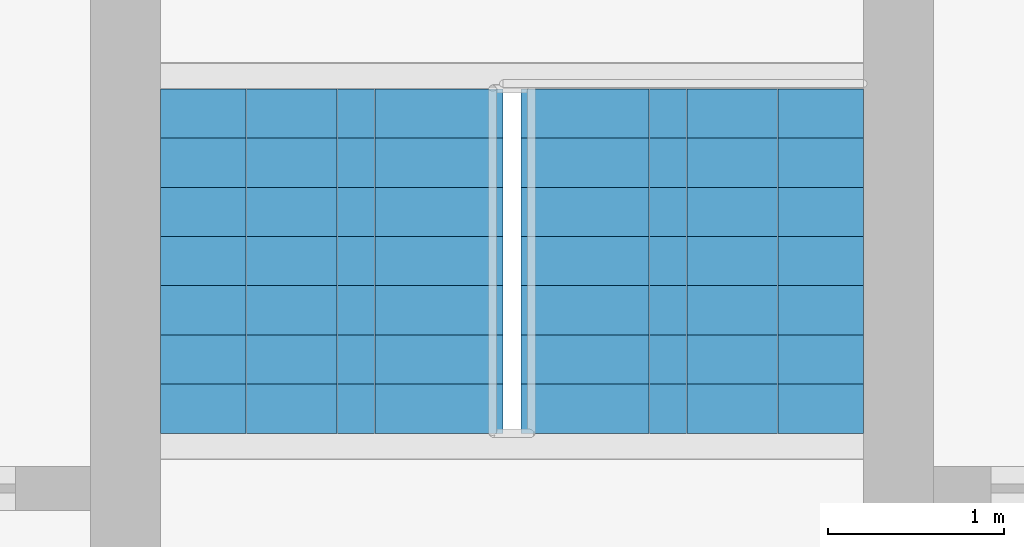
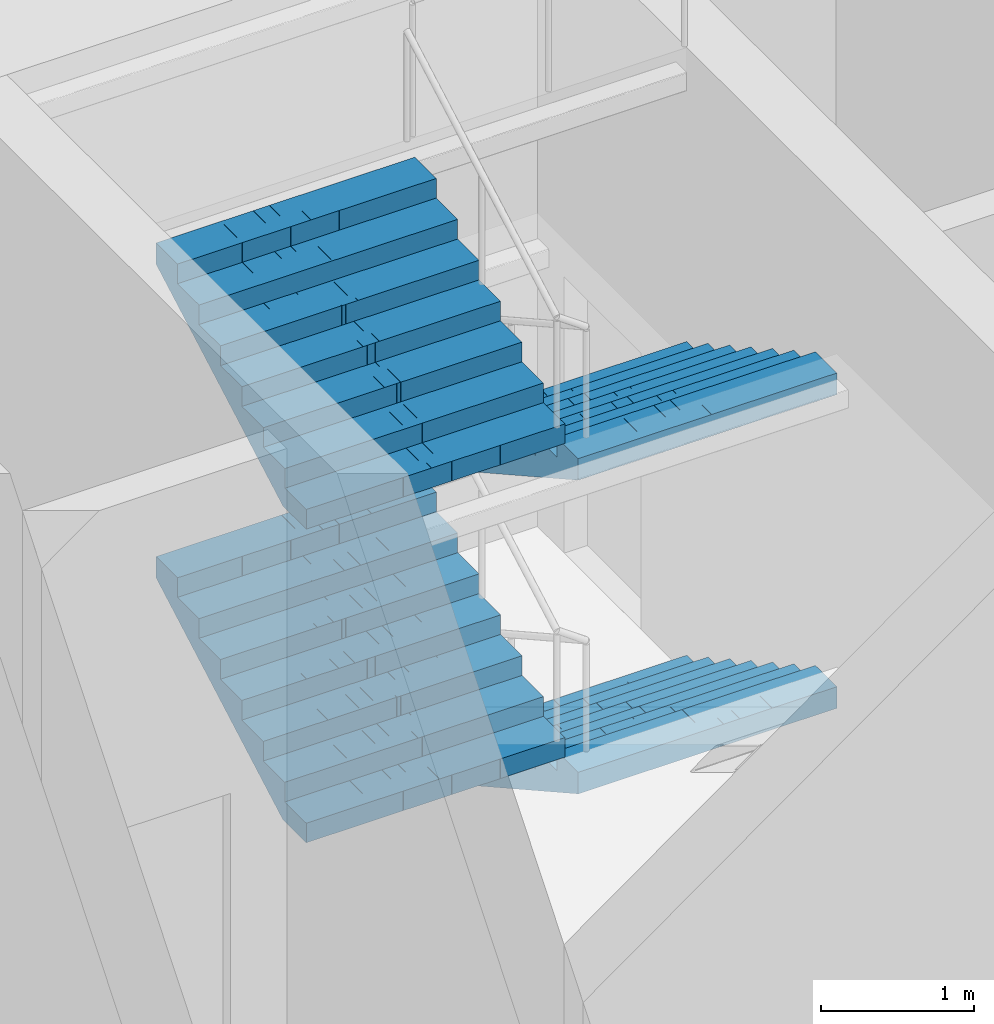
# One storey, part 12 of 13: 4 stair flights, 1 element without a shape of its own.
"""IFC4 building model written with IfcOpenShell, lengths in metres."""

from ifc_helpers import new_model, si_unit, direction, frame, origin, place, context, subcontext, project, spatial, polyline, outline, extrude, material, type_object, element, aggregate, save


model = new_model("IFC4")

# Units and contexts
model_context = context("Model", 3, precision=1e-05, world=origin(), true_north=direction((0.0, 1.0)))
body_context = subcontext(model_context, "Body", "Model", "MODEL_VIEW")
ifc_project = project(units=[si_unit("LENGTHUNIT", "METRE"), si_unit("AREAUNIT", "SQUARE_METRE"), si_unit("VOLUMEUNIT", "CUBIC_METRE"), si_unit("PLANEANGLEUNIT", "RADIAN"), si_unit("MASSUNIT", "GRAM", prefix="KILO")], contexts=[model_context])

# Site, building, storey
site_placement = place(None, origin())
site = spatial("IfcSite", under=ifc_project, at=site_placement, CompositionType="ELEMENT")
building_placement = place(site_placement, origin())
building = spatial("IfcBuilding", under=site, at=building_placement, Name="Mizan Broadcast Tower", CompositionType="ELEMENT")
storey_placement = place(building_placement, frame((0.0, 0.0, 306.300048828125)))
storey = spatial("IfcBuildingStorey", under=building, at=storey_placement, Name="L73", CompositionType="ELEMENT", Elevation=306.300048828125)

# Stair, stair flights
ifc_material_1 = material(Name="Concrete C40/50", Category="concrete")
stair_type = type_object("IfcStairType", Name="EXIT STAIR", PredefinedType="HALF_TURN_STAIR", material=ifc_material_1)
stair_placement = place(storey_placement, origin())
stair = element("IfcStair", 1, at=stair_placement, inside=storey, type_object=stair_type, Name="Stair B L73", PredefinedType="HALF_TURN_STAIR")
ifc_material_2 = material(Name="Concrete C40/50", Category="concrete")
stair_flight_type = type_object("IfcStairFlightType", Name="EXIT STAIR FLIGHT", PredefinedType="STRAIGHT", material=ifc_material_2)
stair_flight_1_placement = place(storey_placement, frame((1.02490234375, 7.89990234375, 0.0), z_axis=(0.0, 0.0, 1.0), x_axis=(0.0, -1.0, 0.0)))
stair_flight_1 = element("IfcStairFlight", 2, at=stair_flight_1_placement, type_object=stair_flight_type, Name="B flight 1", NumberOfRisers=8, NumberOfTreads=7, PredefinedType="STRAIGHT", RiserHeight=0.15625, TreadLength=0.28, context=body_context, shape_type="SweptSolid", body=[
    extrude(outline(polyline([(0.0, 0.0), (0.0, 0.15625), (0.280029296875, 0.15625), (0.280029296875, 0.3125), (0.56005859375, 0.3125), (0.56005859375, 0.46875), (0.840087890625, 0.46875), (0.840087890625, 0.625), (1.1201171875, 0.625), (1.1201171875, 0.78125), (1.39990234375, 0.78125), (1.39990234375, 0.9375), (1.679931640625, 0.9375), (1.679931640625, 1.09375), (1.9599609375, 1.09375), (1.9599609375, 1.25), (1.9599609375, 0.922119140625), (0.3076171875, 0.0), (0.0, 0.0)])), frame((0.0, 0.97509765625, 0.0), z_axis=(0.0, -1.0, 0.0), x_axis=(1.0, 0.0, 0.0)), (0.0, 0.0, 1.0), 0.4873046875),
    extrude(outline(polyline([(0.0, 0.0), (0.0, 0.15625), (0.280029296875, 0.15625), (0.280029296875, 0.3125), (0.56005859375, 0.3125), (0.56005859375, 0.46875), (0.840087890625, 0.46875), (0.840087890625, 0.625), (1.1201171875, 0.625), (1.1201171875, 0.78125), (1.39990234375, 0.78125), (1.39990234375, 0.9375), (1.679931640625, 0.9375), (1.679931640625, 1.09375), (1.9599609375, 1.09375), (1.9599609375, 1.25), (1.9599609375, 0.922119140625), (0.3076171875, 0.0), (0.0, 0.0)])), frame((0.0, 0.4873046875, 0.0), z_axis=(0.0, -1.0, 0.0), x_axis=(1.0, 0.0, 0.0)), (0.0, 0.0, 1.0), 0.2431640625),
    extrude(outline(polyline([(0.0, 0.0), (0.0, 0.15625), (0.280029296875, 0.15625), (0.280029296875, 0.3125), (0.56005859375, 0.3125), (0.56005859375, 0.46875), (0.840087890625, 0.46875), (0.840087890625, 0.625), (1.1201171875, 0.625), (1.1201171875, 0.78125), (1.39990234375, 0.78125), (1.39990234375, 0.9375), (1.679931640625, 0.9375), (1.679931640625, 1.09375), (1.9599609375, 1.09375), (1.9599609375, 1.25), (1.9599609375, 0.922119140625), (0.3076171875, 0.0), (0.0, 0.0)])), frame((0.0, 0.24365234375, 0.0), z_axis=(0.0, -1.0, 0.0), x_axis=(1.0, 0.0, 0.0)), (0.0, 0.0, 1.0), 0.121337890625),
    extrude(outline(polyline([(0.0, 0.0), (0.0, 0.15625), (0.280029296875, 0.15625), (0.280029296875, 0.3125), (0.56005859375, 0.3125), (0.56005859375, 0.46875), (0.840087890625, 0.46875), (0.840087890625, 0.625), (1.1201171875, 0.625), (1.1201171875, 0.78125), (1.39990234375, 0.78125), (1.39990234375, 0.9375), (1.679931640625, 0.9375), (1.679931640625, 1.09375), (1.9599609375, 1.09375), (1.9599609375, 1.25), (1.9599609375, 0.922119140625), (0.3076171875, 0.0), (0.0, 0.0)])), frame((0.0, 0.121826171875, 0.0), z_axis=(0.0, -1.0, 0.0), x_axis=(1.0, 0.0, 0.0)), (0.0, 0.0, 1.0), 0.060546875),
    extrude(outline(polyline([(0.0, 0.0), (0.0, 0.15625), (0.280029296875, 0.15625), (0.280029296875, 0.3125), (0.56005859375, 0.3125), (0.56005859375, 0.46875), (0.840087890625, 0.46875), (0.840087890625, 0.625), (1.1201171875, 0.625), (1.1201171875, 0.78125), (1.39990234375, 0.78125), (1.39990234375, 0.9375), (1.679931640625, 0.9375), (1.679931640625, 1.09375), (1.9599609375, 1.09375), (1.9599609375, 1.25), (1.9599609375, 0.922119140625), (0.3076171875, 0.0), (0.0, 0.0)])), frame((0.0, 0.060791015625, 0.0), z_axis=(0.0, -1.0, 0.0), x_axis=(1.0, 0.0, 0.0)), (0.0, 0.0, 1.0), 0.030029296875),
    extrude(outline(polyline([(0.0, 0.0), (0.0, 0.15625), (0.280029296875, 0.15625), (0.280029296875, 0.3125), (0.56005859375, 0.3125), (0.56005859375, 0.46875), (0.840087890625, 0.46875), (0.840087890625, 0.625), (1.1201171875, 0.625), (1.1201171875, 0.78125), (1.39990234375, 0.78125), (1.39990234375, 0.9375), (1.679931640625, 0.9375), (1.679931640625, 1.09375), (1.9599609375, 1.09375), (1.9599609375, 1.25), (1.9599609375, 0.922119140625), (0.3076171875, 0.0), (0.0, 0.0)])), frame((0.0, 0.0302734375, 0.0), z_axis=(0.0, -1.0, 0.0), x_axis=(1.0, 0.0, 0.0)), (0.0, 0.0, 1.0), 0.060302734375),
    extrude(outline(polyline([(0.0, 0.0), (0.0, 0.15625), (0.280029296875, 0.15625), (0.280029296875, 0.3125), (0.56005859375, 0.3125), (0.56005859375, 0.46875), (0.840087890625, 0.46875), (0.840087890625, 0.625), (1.1201171875, 0.625), (1.1201171875, 0.78125), (1.39990234375, 0.78125), (1.39990234375, 0.9375), (1.679931640625, 0.9375), (1.679931640625, 1.09375), (1.9599609375, 1.09375), (1.9599609375, 1.25), (1.9599609375, 0.922119140625), (0.3076171875, 0.0), (0.0, 0.0)])), frame((0.0, -0.030517578125, 0.0), z_axis=(0.0, -1.0, 0.0), x_axis=(1.0, 0.0, 0.0)), (0.0, 0.0, 1.0), 0.030029296875),
    extrude(outline(polyline([(0.0, 0.0), (0.0, 0.15625), (0.280029296875, 0.15625), (0.280029296875, 0.3125), (0.56005859375, 0.3125), (0.56005859375, 0.46875), (0.840087890625, 0.46875), (0.840087890625, 0.625), (1.1201171875, 0.625), (1.1201171875, 0.78125), (1.39990234375, 0.78125), (1.39990234375, 0.9375), (1.679931640625, 0.9375), (1.679931640625, 1.09375), (1.9599609375, 1.09375), (1.9599609375, 1.25), (1.9599609375, 0.922119140625), (0.3076171875, 0.0), (0.0, 0.0)])), frame((0.0, -0.06103515625, 0.0), z_axis=(0.0, -1.0, 0.0), x_axis=(1.0, 0.0, 0.0)), (0.0, 0.0, 1.0), 0.060546875),
    extrude(outline(polyline([(0.0, 0.0), (0.0, 0.15625), (0.280029296875, 0.15625), (0.280029296875, 0.3125), (0.56005859375, 0.3125), (0.56005859375, 0.46875), (0.840087890625, 0.46875), (0.840087890625, 0.625), (1.1201171875, 0.625), (1.1201171875, 0.78125), (1.39990234375, 0.78125), (1.39990234375, 0.9375), (1.679931640625, 0.9375), (1.679931640625, 1.09375), (1.9599609375, 1.09375), (1.9599609375, 1.25), (1.9599609375, 0.922119140625), (0.3076171875, 0.0), (0.0, 0.0)])), frame((0.0, -0.1220703125, 0.0), z_axis=(0.0, -1.0, 0.0), x_axis=(1.0, 0.0, 0.0)), (0.0, 0.0, 1.0), 0.121337890625),
    extrude(outline(polyline([(0.0, 0.0), (0.0, 0.15625), (0.280029296875, 0.15625), (0.280029296875, 0.3125), (0.56005859375, 0.3125), (0.56005859375, 0.46875), (0.840087890625, 0.46875), (0.840087890625, 0.625), (1.1201171875, 0.625), (1.1201171875, 0.78125), (1.39990234375, 0.78125), (1.39990234375, 0.9375), (1.679931640625, 0.9375), (1.679931640625, 1.09375), (1.9599609375, 1.09375), (1.9599609375, 1.25), (1.9599609375, 0.922119140625), (0.3076171875, 0.0), (0.0, 0.0)])), frame((0.0, -0.243896484375, 0.0), z_axis=(0.0, -1.0, 0.0), x_axis=(1.0, 0.0, 0.0)), (0.0, 0.0, 1.0), 0.2431640625),
    extrude(outline(polyline([(0.0, 0.0), (0.0, 0.15625), (0.280029296875, 0.15625), (0.280029296875, 0.3125), (0.56005859375, 0.3125), (0.56005859375, 0.46875), (0.840087890625, 0.46875), (0.840087890625, 0.625), (1.1201171875, 0.625), (1.1201171875, 0.78125), (1.39990234375, 0.78125), (1.39990234375, 0.9375), (1.679931640625, 0.9375), (1.679931640625, 1.09375), (1.9599609375, 1.09375), (1.9599609375, 1.25), (1.9599609375, 0.922119140625), (0.3076171875, 0.0), (0.0, 0.0)])), frame((0.0, -0.487548828125, 0.0), z_axis=(0.0, -1.0, 0.0), x_axis=(1.0, 0.0, 0.0)), (0.0, 0.0, 1.0), 0.4873046875),
])
stair_flight_2_placement = place(storey_placement, frame((-1.02490234375, 5.93994140625, 1.25), z_axis=(0.0, 0.0, 1.0), x_axis=(0.0, 1.0, 0.0)))
stair_flight_2 = element("IfcStairFlight", 3, at=stair_flight_2_placement, type_object=stair_flight_type, Name="B flight 2", NumberOfRisers=8, NumberOfTreads=7, PredefinedType="STRAIGHT", RiserHeight=0.15625, TreadLength=0.28, context=body_context, shape_type="SweptSolid", body=[
    extrude(outline(polyline([(0.0, 0.0), (0.0, 0.15625), (0.280029296875, 0.15625), (0.280029296875, 0.3125), (0.56005859375, 0.3125), (0.56005859375, 0.46875), (0.840087890625, 0.46875), (0.840087890625, 0.625), (1.1201171875, 0.625), (1.1201171875, 0.78125), (1.39990234375, 0.78125), (1.39990234375, 0.9375), (1.679931640625, 0.9375), (1.679931640625, 1.09375), (1.9599609375, 1.09375), (1.9599609375, 1.25), (1.9599609375, 0.922119140625), (0.3076171875, 0.0), (0.0, 0.0)])), frame((0.0, 0.97509765625, 0.0), z_axis=(0.0, -1.0, 0.0), x_axis=(1.0, 0.0, 0.0)), (0.0, 0.0, 1.0), 0.4873046875),
    extrude(outline(polyline([(0.0, 0.0), (0.0, 0.15625), (0.280029296875, 0.15625), (0.280029296875, 0.3125), (0.56005859375, 0.3125), (0.56005859375, 0.46875), (0.840087890625, 0.46875), (0.840087890625, 0.625), (1.1201171875, 0.625), (1.1201171875, 0.78125), (1.39990234375, 0.78125), (1.39990234375, 0.9375), (1.679931640625, 0.9375), (1.679931640625, 1.09375), (1.9599609375, 1.09375), (1.9599609375, 1.25), (1.9599609375, 0.922119140625), (0.3076171875, 0.0), (0.0, 0.0)])), frame((0.0, 0.4873046875, 0.0), z_axis=(0.0, -1.0, 0.0), x_axis=(1.0, 0.0, 0.0)), (0.0, 0.0, 1.0), 0.2431640625),
    extrude(outline(polyline([(0.0, 0.0), (0.0, 0.15625), (0.280029296875, 0.15625), (0.280029296875, 0.3125), (0.56005859375, 0.3125), (0.56005859375, 0.46875), (0.840087890625, 0.46875), (0.840087890625, 0.625), (1.1201171875, 0.625), (1.1201171875, 0.78125), (1.39990234375, 0.78125), (1.39990234375, 0.9375), (1.679931640625, 0.9375), (1.679931640625, 1.09375), (1.9599609375, 1.09375), (1.9599609375, 1.25), (1.9599609375, 0.922119140625), (0.3076171875, 0.0), (0.0, 0.0)])), frame((0.0, 0.24365234375, 0.0), z_axis=(0.0, -1.0, 0.0), x_axis=(1.0, 0.0, 0.0)), (0.0, 0.0, 1.0), 0.121337890625),
    extrude(outline(polyline([(0.0, 0.0), (0.0, 0.15625), (0.280029296875, 0.15625), (0.280029296875, 0.3125), (0.56005859375, 0.3125), (0.56005859375, 0.46875), (0.840087890625, 0.46875), (0.840087890625, 0.625), (1.1201171875, 0.625), (1.1201171875, 0.78125), (1.39990234375, 0.78125), (1.39990234375, 0.9375), (1.679931640625, 0.9375), (1.679931640625, 1.09375), (1.9599609375, 1.09375), (1.9599609375, 1.25), (1.9599609375, 0.922119140625), (0.3076171875, 0.0), (0.0, 0.0)])), frame((0.0, 0.121826171875, 0.0), z_axis=(0.0, -1.0, 0.0), x_axis=(1.0, 0.0, 0.0)), (0.0, 0.0, 1.0), 0.060546875),
    extrude(outline(polyline([(0.0, 0.0), (0.0, 0.15625), (0.280029296875, 0.15625), (0.280029296875, 0.3125), (0.56005859375, 0.3125), (0.56005859375, 0.46875), (0.840087890625, 0.46875), (0.840087890625, 0.625), (1.1201171875, 0.625), (1.1201171875, 0.78125), (1.39990234375, 0.78125), (1.39990234375, 0.9375), (1.679931640625, 0.9375), (1.679931640625, 1.09375), (1.9599609375, 1.09375), (1.9599609375, 1.25), (1.9599609375, 0.922119140625), (0.3076171875, 0.0), (0.0, 0.0)])), frame((0.0, 0.060791015625, 0.0), z_axis=(0.0, -1.0, 0.0), x_axis=(1.0, 0.0, 0.0)), (0.0, 0.0, 1.0), 0.030029296875),
    extrude(outline(polyline([(0.0, 0.0), (0.0, 0.15625), (0.280029296875, 0.15625), (0.280029296875, 0.3125), (0.56005859375, 0.3125), (0.56005859375, 0.46875), (0.840087890625, 0.46875), (0.840087890625, 0.625), (1.1201171875, 0.625), (1.1201171875, 0.78125), (1.39990234375, 0.78125), (1.39990234375, 0.9375), (1.679931640625, 0.9375), (1.679931640625, 1.09375), (1.9599609375, 1.09375), (1.9599609375, 1.25), (1.9599609375, 0.922119140625), (0.3076171875, 0.0), (0.0, 0.0)])), frame((0.0, 0.0302734375, 0.0), z_axis=(0.0, -1.0, 0.0), x_axis=(1.0, 0.0, 0.0)), (0.0, 0.0, 1.0), 0.060302734375),
    extrude(outline(polyline([(0.0, 0.0), (0.0, 0.15625), (0.280029296875, 0.15625), (0.280029296875, 0.3125), (0.56005859375, 0.3125), (0.56005859375, 0.46875), (0.840087890625, 0.46875), (0.840087890625, 0.625), (1.1201171875, 0.625), (1.1201171875, 0.78125), (1.39990234375, 0.78125), (1.39990234375, 0.9375), (1.679931640625, 0.9375), (1.679931640625, 1.09375), (1.9599609375, 1.09375), (1.9599609375, 1.25), (1.9599609375, 0.922119140625), (0.3076171875, 0.0), (0.0, 0.0)])), frame((0.0, -0.030517578125, 0.0), z_axis=(0.0, -1.0, 0.0), x_axis=(1.0, 0.0, 0.0)), (0.0, 0.0, 1.0), 0.030029296875),
    extrude(outline(polyline([(0.0, 0.0), (0.0, 0.15625), (0.280029296875, 0.15625), (0.280029296875, 0.3125), (0.56005859375, 0.3125), (0.56005859375, 0.46875), (0.840087890625, 0.46875), (0.840087890625, 0.625), (1.1201171875, 0.625), (1.1201171875, 0.78125), (1.39990234375, 0.78125), (1.39990234375, 0.9375), (1.679931640625, 0.9375), (1.679931640625, 1.09375), (1.9599609375, 1.09375), (1.9599609375, 1.25), (1.9599609375, 0.922119140625), (0.3076171875, 0.0), (0.0, 0.0)])), frame((0.0, -0.06103515625, 0.0), z_axis=(0.0, -1.0, 0.0), x_axis=(1.0, 0.0, 0.0)), (0.0, 0.0, 1.0), 0.060546875),
    extrude(outline(polyline([(0.0, 0.0), (0.0, 0.15625), (0.280029296875, 0.15625), (0.280029296875, 0.3125), (0.56005859375, 0.3125), (0.56005859375, 0.46875), (0.840087890625, 0.46875), (0.840087890625, 0.625), (1.1201171875, 0.625), (1.1201171875, 0.78125), (1.39990234375, 0.78125), (1.39990234375, 0.9375), (1.679931640625, 0.9375), (1.679931640625, 1.09375), (1.9599609375, 1.09375), (1.9599609375, 1.25), (1.9599609375, 0.922119140625), (0.3076171875, 0.0), (0.0, 0.0)])), frame((0.0, -0.1220703125, 0.0), z_axis=(0.0, -1.0, 0.0), x_axis=(1.0, 0.0, 0.0)), (0.0, 0.0, 1.0), 0.121337890625),
    extrude(outline(polyline([(0.0, 0.0), (0.0, 0.15625), (0.280029296875, 0.15625), (0.280029296875, 0.3125), (0.56005859375, 0.3125), (0.56005859375, 0.46875), (0.840087890625, 0.46875), (0.840087890625, 0.625), (1.1201171875, 0.625), (1.1201171875, 0.78125), (1.39990234375, 0.78125), (1.39990234375, 0.9375), (1.679931640625, 0.9375), (1.679931640625, 1.09375), (1.9599609375, 1.09375), (1.9599609375, 1.25), (1.9599609375, 0.922119140625), (0.3076171875, 0.0), (0.0, 0.0)])), frame((0.0, -0.243896484375, 0.0), z_axis=(0.0, -1.0, 0.0), x_axis=(1.0, 0.0, 0.0)), (0.0, 0.0, 1.0), 0.2431640625),
    extrude(outline(polyline([(0.0, 0.0), (0.0, 0.15625), (0.280029296875, 0.15625), (0.280029296875, 0.3125), (0.56005859375, 0.3125), (0.56005859375, 0.46875), (0.840087890625, 0.46875), (0.840087890625, 0.625), (1.1201171875, 0.625), (1.1201171875, 0.78125), (1.39990234375, 0.78125), (1.39990234375, 0.9375), (1.679931640625, 0.9375), (1.679931640625, 1.09375), (1.9599609375, 1.09375), (1.9599609375, 1.25), (1.9599609375, 0.922119140625), (0.3076171875, 0.0), (0.0, 0.0)])), frame((0.0, -0.487548828125, 0.0), z_axis=(0.0, -1.0, 0.0), x_axis=(1.0, 0.0, 0.0)), (0.0, 0.0, 1.0), 0.4873046875),
])
stair_flight_3_placement = place(storey_placement, frame((1.02490234375, 7.89990234375, 2.5), z_axis=(0.0, 0.0, 1.0), x_axis=(0.0, -1.0, 0.0)))
stair_flight_3 = element("IfcStairFlight", 4, at=stair_flight_3_placement, type_object=stair_flight_type, Name="B flight 3", NumberOfRisers=8, NumberOfTreads=7, PredefinedType="STRAIGHT", RiserHeight=0.15625, TreadLength=0.28, context=body_context, shape_type="SweptSolid", body=[
    extrude(outline(polyline([(0.0, 0.0), (0.0, 0.15625), (0.280029296875, 0.15625), (0.280029296875, 0.3125), (0.56005859375, 0.3125), (0.56005859375, 0.46875), (0.840087890625, 0.46875), (0.840087890625, 0.625), (1.1201171875, 0.625), (1.1201171875, 0.78125), (1.39990234375, 0.78125), (1.39990234375, 0.9375), (1.679931640625, 0.9375), (1.679931640625, 1.09375), (1.9599609375, 1.09375), (1.9599609375, 1.25), (1.9599609375, 0.922119140625), (0.3076171875, 0.0), (0.0, 0.0)])), frame((0.0, 0.97509765625, 0.0), z_axis=(0.0, -1.0, 0.0), x_axis=(1.0, 0.0, 0.0)), (0.0, 0.0, 1.0), 0.4873046875),
    extrude(outline(polyline([(0.0, 0.0), (0.0, 0.15625), (0.280029296875, 0.15625), (0.280029296875, 0.3125), (0.56005859375, 0.3125), (0.56005859375, 0.46875), (0.840087890625, 0.46875), (0.840087890625, 0.625), (1.1201171875, 0.625), (1.1201171875, 0.78125), (1.39990234375, 0.78125), (1.39990234375, 0.9375), (1.679931640625, 0.9375), (1.679931640625, 1.09375), (1.9599609375, 1.09375), (1.9599609375, 1.25), (1.9599609375, 0.922119140625), (0.3076171875, 0.0), (0.0, 0.0)])), frame((0.0, 0.4873046875, 0.0), z_axis=(0.0, -1.0, 0.0), x_axis=(1.0, 0.0, 0.0)), (0.0, 0.0, 1.0), 0.2431640625),
    extrude(outline(polyline([(0.0, 0.0), (0.0, 0.15625), (0.280029296875, 0.15625), (0.280029296875, 0.3125), (0.56005859375, 0.3125), (0.56005859375, 0.46875), (0.840087890625, 0.46875), (0.840087890625, 0.625), (1.1201171875, 0.625), (1.1201171875, 0.78125), (1.39990234375, 0.78125), (1.39990234375, 0.9375), (1.679931640625, 0.9375), (1.679931640625, 1.09375), (1.9599609375, 1.09375), (1.9599609375, 1.25), (1.9599609375, 0.922119140625), (0.3076171875, 0.0), (0.0, 0.0)])), frame((0.0, 0.24365234375, 0.0), z_axis=(0.0, -1.0, 0.0), x_axis=(1.0, 0.0, 0.0)), (0.0, 0.0, 1.0), 0.121337890625),
    extrude(outline(polyline([(0.0, 0.0), (0.0, 0.15625), (0.280029296875, 0.15625), (0.280029296875, 0.3125), (0.56005859375, 0.3125), (0.56005859375, 0.46875), (0.840087890625, 0.46875), (0.840087890625, 0.625), (1.1201171875, 0.625), (1.1201171875, 0.78125), (1.39990234375, 0.78125), (1.39990234375, 0.9375), (1.679931640625, 0.9375), (1.679931640625, 1.09375), (1.9599609375, 1.09375), (1.9599609375, 1.25), (1.9599609375, 0.922119140625), (0.3076171875, 0.0), (0.0, 0.0)])), frame((0.0, 0.121826171875, 0.0), z_axis=(0.0, -1.0, 0.0), x_axis=(1.0, 0.0, 0.0)), (0.0, 0.0, 1.0), 0.060546875),
    extrude(outline(polyline([(0.0, 0.0), (0.0, 0.15625), (0.280029296875, 0.15625), (0.280029296875, 0.3125), (0.56005859375, 0.3125), (0.56005859375, 0.46875), (0.840087890625, 0.46875), (0.840087890625, 0.625), (1.1201171875, 0.625), (1.1201171875, 0.78125), (1.39990234375, 0.78125), (1.39990234375, 0.9375), (1.679931640625, 0.9375), (1.679931640625, 1.09375), (1.9599609375, 1.09375), (1.9599609375, 1.25), (1.9599609375, 0.922119140625), (0.3076171875, 0.0), (0.0, 0.0)])), frame((0.0, 0.060791015625, 0.0), z_axis=(0.0, -1.0, 0.0), x_axis=(1.0, 0.0, 0.0)), (0.0, 0.0, 1.0), 0.030029296875),
    extrude(outline(polyline([(0.0, 0.0), (0.0, 0.15625), (0.280029296875, 0.15625), (0.280029296875, 0.3125), (0.56005859375, 0.3125), (0.56005859375, 0.46875), (0.840087890625, 0.46875), (0.840087890625, 0.625), (1.1201171875, 0.625), (1.1201171875, 0.78125), (1.39990234375, 0.78125), (1.39990234375, 0.9375), (1.679931640625, 0.9375), (1.679931640625, 1.09375), (1.9599609375, 1.09375), (1.9599609375, 1.25), (1.9599609375, 0.922119140625), (0.3076171875, 0.0), (0.0, 0.0)])), frame((0.0, 0.0302734375, 0.0), z_axis=(0.0, -1.0, 0.0), x_axis=(1.0, 0.0, 0.0)), (0.0, 0.0, 1.0), 0.060302734375),
    extrude(outline(polyline([(0.0, 0.0), (0.0, 0.15625), (0.280029296875, 0.15625), (0.280029296875, 0.3125), (0.56005859375, 0.3125), (0.56005859375, 0.46875), (0.840087890625, 0.46875), (0.840087890625, 0.625), (1.1201171875, 0.625), (1.1201171875, 0.78125), (1.39990234375, 0.78125), (1.39990234375, 0.9375), (1.679931640625, 0.9375), (1.679931640625, 1.09375), (1.9599609375, 1.09375), (1.9599609375, 1.25), (1.9599609375, 0.922119140625), (0.3076171875, 0.0), (0.0, 0.0)])), frame((0.0, -0.030517578125, 0.0), z_axis=(0.0, -1.0, 0.0), x_axis=(1.0, 0.0, 0.0)), (0.0, 0.0, 1.0), 0.030029296875),
    extrude(outline(polyline([(0.0, 0.0), (0.0, 0.15625), (0.280029296875, 0.15625), (0.280029296875, 0.3125), (0.56005859375, 0.3125), (0.56005859375, 0.46875), (0.840087890625, 0.46875), (0.840087890625, 0.625), (1.1201171875, 0.625), (1.1201171875, 0.78125), (1.39990234375, 0.78125), (1.39990234375, 0.9375), (1.679931640625, 0.9375), (1.679931640625, 1.09375), (1.9599609375, 1.09375), (1.9599609375, 1.25), (1.9599609375, 0.922119140625), (0.3076171875, 0.0), (0.0, 0.0)])), frame((0.0, -0.06103515625, 0.0), z_axis=(0.0, -1.0, 0.0), x_axis=(1.0, 0.0, 0.0)), (0.0, 0.0, 1.0), 0.060546875),
    extrude(outline(polyline([(0.0, 0.0), (0.0, 0.15625), (0.280029296875, 0.15625), (0.280029296875, 0.3125), (0.56005859375, 0.3125), (0.56005859375, 0.46875), (0.840087890625, 0.46875), (0.840087890625, 0.625), (1.1201171875, 0.625), (1.1201171875, 0.78125), (1.39990234375, 0.78125), (1.39990234375, 0.9375), (1.679931640625, 0.9375), (1.679931640625, 1.09375), (1.9599609375, 1.09375), (1.9599609375, 1.25), (1.9599609375, 0.922119140625), (0.3076171875, 0.0), (0.0, 0.0)])), frame((0.0, -0.1220703125, 0.0), z_axis=(0.0, -1.0, 0.0), x_axis=(1.0, 0.0, 0.0)), (0.0, 0.0, 1.0), 0.121337890625),
    extrude(outline(polyline([(0.0, 0.0), (0.0, 0.15625), (0.280029296875, 0.15625), (0.280029296875, 0.3125), (0.56005859375, 0.3125), (0.56005859375, 0.46875), (0.840087890625, 0.46875), (0.840087890625, 0.625), (1.1201171875, 0.625), (1.1201171875, 0.78125), (1.39990234375, 0.78125), (1.39990234375, 0.9375), (1.679931640625, 0.9375), (1.679931640625, 1.09375), (1.9599609375, 1.09375), (1.9599609375, 1.25), (1.9599609375, 0.922119140625), (0.3076171875, 0.0), (0.0, 0.0)])), frame((0.0, -0.243896484375, 0.0), z_axis=(0.0, -1.0, 0.0), x_axis=(1.0, 0.0, 0.0)), (0.0, 0.0, 1.0), 0.2431640625),
    extrude(outline(polyline([(0.0, 0.0), (0.0, 0.15625), (0.280029296875, 0.15625), (0.280029296875, 0.3125), (0.56005859375, 0.3125), (0.56005859375, 0.46875), (0.840087890625, 0.46875), (0.840087890625, 0.625), (1.1201171875, 0.625), (1.1201171875, 0.78125), (1.39990234375, 0.78125), (1.39990234375, 0.9375), (1.679931640625, 0.9375), (1.679931640625, 1.09375), (1.9599609375, 1.09375), (1.9599609375, 1.25), (1.9599609375, 0.922119140625), (0.3076171875, 0.0), (0.0, 0.0)])), frame((0.0, -0.487548828125, 0.0), z_axis=(0.0, -1.0, 0.0), x_axis=(1.0, 0.0, 0.0)), (0.0, 0.0, 1.0), 0.4873046875),
])
stair_flight_4_placement = place(storey_placement, frame((-1.02490234375, 5.93994140625, 3.75), z_axis=(0.0, 0.0, 1.0), x_axis=(0.0, 1.0, 0.0)))
stair_flight_4 = element("IfcStairFlight", 5, at=stair_flight_4_placement, type_object=stair_flight_type, Name="B flight 4", NumberOfRisers=8, NumberOfTreads=7, PredefinedType="STRAIGHT", RiserHeight=0.15625, TreadLength=0.28, context=body_context, shape_type="SweptSolid", body=[
    extrude(outline(polyline([(0.0, 0.0), (0.0, 0.15625), (0.280029296875, 0.15625), (0.280029296875, 0.3125), (0.56005859375, 0.3125), (0.56005859375, 0.46875), (0.840087890625, 0.46875), (0.840087890625, 0.625), (1.1201171875, 0.625), (1.1201171875, 0.78125), (1.39990234375, 0.78125), (1.39990234375, 0.9375), (1.679931640625, 0.9375), (1.679931640625, 1.09375), (1.9599609375, 1.09375), (1.9599609375, 1.25), (1.9599609375, 0.922119140625), (0.3076171875, 0.0), (0.0, 0.0)])), frame((0.0, 0.97509765625, 0.0), z_axis=(0.0, -1.0, 0.0), x_axis=(1.0, 0.0, 0.0)), (0.0, 0.0, 1.0), 0.4873046875),
    extrude(outline(polyline([(0.0, 0.0), (0.0, 0.15625), (0.280029296875, 0.15625), (0.280029296875, 0.3125), (0.56005859375, 0.3125), (0.56005859375, 0.46875), (0.840087890625, 0.46875), (0.840087890625, 0.625), (1.1201171875, 0.625), (1.1201171875, 0.78125), (1.39990234375, 0.78125), (1.39990234375, 0.9375), (1.679931640625, 0.9375), (1.679931640625, 1.09375), (1.9599609375, 1.09375), (1.9599609375, 1.25), (1.9599609375, 0.922119140625), (0.3076171875, 0.0), (0.0, 0.0)])), frame((0.0, 0.4873046875, 0.0), z_axis=(0.0, -1.0, 0.0), x_axis=(1.0, 0.0, 0.0)), (0.0, 0.0, 1.0), 0.2431640625),
    extrude(outline(polyline([(0.0, 0.0), (0.0, 0.15625), (0.280029296875, 0.15625), (0.280029296875, 0.3125), (0.56005859375, 0.3125), (0.56005859375, 0.46875), (0.840087890625, 0.46875), (0.840087890625, 0.625), (1.1201171875, 0.625), (1.1201171875, 0.78125), (1.39990234375, 0.78125), (1.39990234375, 0.9375), (1.679931640625, 0.9375), (1.679931640625, 1.09375), (1.9599609375, 1.09375), (1.9599609375, 1.25), (1.9599609375, 0.922119140625), (0.3076171875, 0.0), (0.0, 0.0)])), frame((0.0, 0.24365234375, 0.0), z_axis=(0.0, -1.0, 0.0), x_axis=(1.0, 0.0, 0.0)), (0.0, 0.0, 1.0), 0.121337890625),
    extrude(outline(polyline([(0.0, 0.0), (0.0, 0.15625), (0.280029296875, 0.15625), (0.280029296875, 0.3125), (0.56005859375, 0.3125), (0.56005859375, 0.46875), (0.840087890625, 0.46875), (0.840087890625, 0.625), (1.1201171875, 0.625), (1.1201171875, 0.78125), (1.39990234375, 0.78125), (1.39990234375, 0.9375), (1.679931640625, 0.9375), (1.679931640625, 1.09375), (1.9599609375, 1.09375), (1.9599609375, 1.25), (1.9599609375, 0.922119140625), (0.3076171875, 0.0), (0.0, 0.0)])), frame((0.0, 0.121826171875, 0.0), z_axis=(0.0, -1.0, 0.0), x_axis=(1.0, 0.0, 0.0)), (0.0, 0.0, 1.0), 0.060546875),
    extrude(outline(polyline([(0.0, 0.0), (0.0, 0.15625), (0.280029296875, 0.15625), (0.280029296875, 0.3125), (0.56005859375, 0.3125), (0.56005859375, 0.46875), (0.840087890625, 0.46875), (0.840087890625, 0.625), (1.1201171875, 0.625), (1.1201171875, 0.78125), (1.39990234375, 0.78125), (1.39990234375, 0.9375), (1.679931640625, 0.9375), (1.679931640625, 1.09375), (1.9599609375, 1.09375), (1.9599609375, 1.25), (1.9599609375, 0.922119140625), (0.3076171875, 0.0), (0.0, 0.0)])), frame((0.0, 0.060791015625, 0.0), z_axis=(0.0, -1.0, 0.0), x_axis=(1.0, 0.0, 0.0)), (0.0, 0.0, 1.0), 0.030029296875),
    extrude(outline(polyline([(0.0, 0.0), (0.0, 0.15625), (0.280029296875, 0.15625), (0.280029296875, 0.3125), (0.56005859375, 0.3125), (0.56005859375, 0.46875), (0.840087890625, 0.46875), (0.840087890625, 0.625), (1.1201171875, 0.625), (1.1201171875, 0.78125), (1.39990234375, 0.78125), (1.39990234375, 0.9375), (1.679931640625, 0.9375), (1.679931640625, 1.09375), (1.9599609375, 1.09375), (1.9599609375, 1.25), (1.9599609375, 0.922119140625), (0.3076171875, 0.0), (0.0, 0.0)])), frame((0.0, 0.0302734375, 0.0), z_axis=(0.0, -1.0, 0.0), x_axis=(1.0, 0.0, 0.0)), (0.0, 0.0, 1.0), 0.060302734375),
    extrude(outline(polyline([(0.0, 0.0), (0.0, 0.15625), (0.280029296875, 0.15625), (0.280029296875, 0.3125), (0.56005859375, 0.3125), (0.56005859375, 0.46875), (0.840087890625, 0.46875), (0.840087890625, 0.625), (1.1201171875, 0.625), (1.1201171875, 0.78125), (1.39990234375, 0.78125), (1.39990234375, 0.9375), (1.679931640625, 0.9375), (1.679931640625, 1.09375), (1.9599609375, 1.09375), (1.9599609375, 1.25), (1.9599609375, 0.922119140625), (0.3076171875, 0.0), (0.0, 0.0)])), frame((0.0, -0.030517578125, 0.0), z_axis=(0.0, -1.0, 0.0), x_axis=(1.0, 0.0, 0.0)), (0.0, 0.0, 1.0), 0.030029296875),
    extrude(outline(polyline([(0.0, 0.0), (0.0, 0.15625), (0.280029296875, 0.15625), (0.280029296875, 0.3125), (0.56005859375, 0.3125), (0.56005859375, 0.46875), (0.840087890625, 0.46875), (0.840087890625, 0.625), (1.1201171875, 0.625), (1.1201171875, 0.78125), (1.39990234375, 0.78125), (1.39990234375, 0.9375), (1.679931640625, 0.9375), (1.679931640625, 1.09375), (1.9599609375, 1.09375), (1.9599609375, 1.25), (1.9599609375, 0.922119140625), (0.3076171875, 0.0), (0.0, 0.0)])), frame((0.0, -0.06103515625, 0.0), z_axis=(0.0, -1.0, 0.0), x_axis=(1.0, 0.0, 0.0)), (0.0, 0.0, 1.0), 0.060546875),
    extrude(outline(polyline([(0.0, 0.0), (0.0, 0.15625), (0.280029296875, 0.15625), (0.280029296875, 0.3125), (0.56005859375, 0.3125), (0.56005859375, 0.46875), (0.840087890625, 0.46875), (0.840087890625, 0.625), (1.1201171875, 0.625), (1.1201171875, 0.78125), (1.39990234375, 0.78125), (1.39990234375, 0.9375), (1.679931640625, 0.9375), (1.679931640625, 1.09375), (1.9599609375, 1.09375), (1.9599609375, 1.25), (1.9599609375, 0.922119140625), (0.3076171875, 0.0), (0.0, 0.0)])), frame((0.0, -0.1220703125, 0.0), z_axis=(0.0, -1.0, 0.0), x_axis=(1.0, 0.0, 0.0)), (0.0, 0.0, 1.0), 0.121337890625),
    extrude(outline(polyline([(0.0, 0.0), (0.0, 0.15625), (0.280029296875, 0.15625), (0.280029296875, 0.3125), (0.56005859375, 0.3125), (0.56005859375, 0.46875), (0.840087890625, 0.46875), (0.840087890625, 0.625), (1.1201171875, 0.625), (1.1201171875, 0.78125), (1.39990234375, 0.78125), (1.39990234375, 0.9375), (1.679931640625, 0.9375), (1.679931640625, 1.09375), (1.9599609375, 1.09375), (1.9599609375, 1.25), (1.9599609375, 0.922119140625), (0.3076171875, 0.0), (0.0, 0.0)])), frame((0.0, -0.243896484375, 0.0), z_axis=(0.0, -1.0, 0.0), x_axis=(1.0, 0.0, 0.0)), (0.0, 0.0, 1.0), 0.2431640625),
    extrude(outline(polyline([(0.0, 0.0), (0.0, 0.15625), (0.280029296875, 0.15625), (0.280029296875, 0.3125), (0.56005859375, 0.3125), (0.56005859375, 0.46875), (0.840087890625, 0.46875), (0.840087890625, 0.625), (1.1201171875, 0.625), (1.1201171875, 0.78125), (1.39990234375, 0.78125), (1.39990234375, 0.9375), (1.679931640625, 0.9375), (1.679931640625, 1.09375), (1.9599609375, 1.09375), (1.9599609375, 1.25), (1.9599609375, 0.922119140625), (0.3076171875, 0.0), (0.0, 0.0)])), frame((0.0, -0.487548828125, 0.0), z_axis=(0.0, -1.0, 0.0), x_axis=(1.0, 0.0, 0.0)), (0.0, 0.0, 1.0), 0.4873046875),
])
aggregate(stair, [stair_flight_1, stair_flight_2, stair_flight_3, stair_flight_4])

save(model, "model.ifc")
